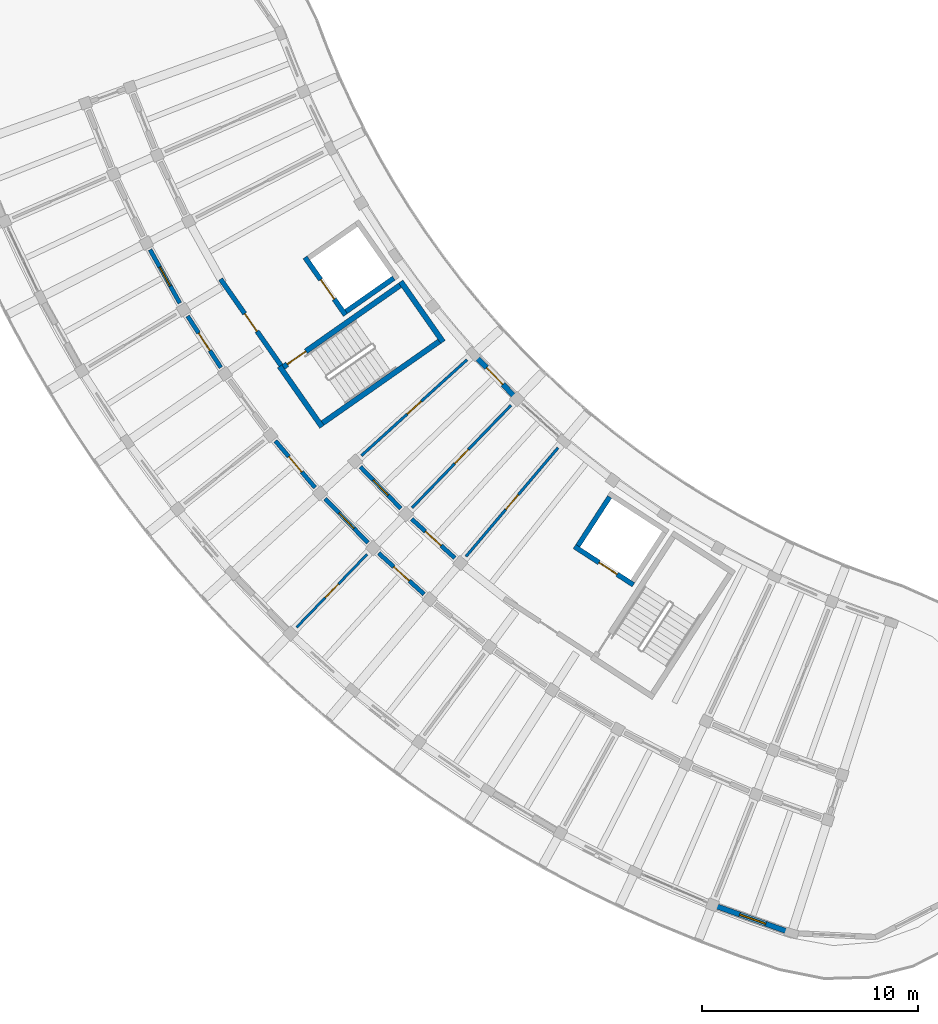
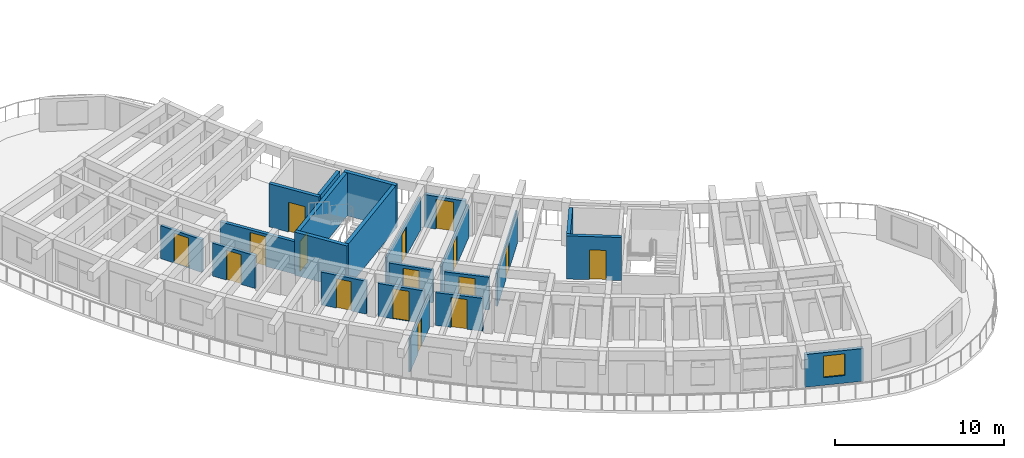
# One storey, part 42 of 83: 22 walls, 16 doors, 1 window, 17 openings.
"""IFC4 building model written with IfcOpenShell, lengths in metres."""

from ifc_helpers import new_model, si_unit, direction, frame, frame_2d, origin, place, context, subcontext, project, spatial, rectangle, extrude, material, layer, layer_set, type_object, element, fill, save


model = new_model("IFC4")

# Units and contexts
model_context = context("Model", 3, precision=1e-05, world=origin(), true_north=direction((0.0, 1.0)))
body_context = subcontext(model_context, "Body", "Model", "MODEL_VIEW")
ifc_project = project(units=[si_unit("LENGTHUNIT", "METRE"), si_unit("AREAUNIT", "SQUARE_METRE"), si_unit("VOLUMEUNIT", "CUBIC_METRE"), si_unit("PLANEANGLEUNIT", "RADIAN"), si_unit("MASSUNIT", "GRAM", prefix="KILO")], contexts=[model_context])

# Site, building, storey
site_placement = place(None, origin())
site = spatial("IfcSite", under=ifc_project, at=site_placement, CompositionType="ELEMENT")
building_placement = place(site_placement, origin())
building = spatial("IfcBuilding", under=site, at=building_placement, Name="Tanwirah Colonnade Gardens", CompositionType="ELEMENT")
storey_placement = place(building_placement, frame((0.0, 0.0, 25.639892578125)))
storey = spatial("IfcBuildingStorey", under=building, at=storey_placement, Name="L07", CompositionType="ELEMENT", Elevation=25.639892578125)

# Wall, opening, door
ifc_material_1 = material(Name="Limestone architectural precast concrete C40/50", Category="masonry")
ifc_layer_1 = layer(ifc_material_1, 0.2451171875)
ifc_layer_set_1 = layer_set([ifc_layer_1], Name="Limestone architectural precast concrete C40/50")
wall_type_1 = type_object("IfcWallType", Name="EW-PC245", PredefinedType="SOLIDWALL", material=ifc_layer_set_1)
wall_1_placement = place(storey_placement, frame((32.208740234375, 34.49853515625, 0.0), z_axis=(0.0, 0.0, 1.0), x_axis=(0.696189646315, -0.717857908199, 0.0)))
wall_1 = element("IfcWall", 1, at=wall_1_placement, inside=storey, type_object=wall_type_1, Name="Block C L07 IN Precast Facade Wall 7", PredefinedType="SOLIDWALL", context=body_context, shape_type="SweptSolid", body=[
    extrude(rectangle(XDim=2.52392578125, YDim=0.2451171875, at=frame_2d((1.261962890625, 0.0))), origin(), (0.0, 0.0, 1.0), 2.355224609375),
])
opening_1_placement = place(wall_1_placement, frame((0.721923828125, 0.0, 0.0)))
opening_1 = element("IfcOpeningElement", 2, at=opening_1_placement, cuts=wall_1, Name="Opening L07-ED161", PredefinedType="OPENING", context=body_context, shape_type="SweptSolid", body=[
    extrude(rectangle(XDim=1.080078125, YDim=2.14990234375, at=frame_2d((0.5400390625, 1.074951171875))), frame((0.0, 0.132568359375, 0.0), z_axis=(0.0, -1.0, 0.0), x_axis=(1.0, 0.0, 0.0)), (0.0, 0.0, 1.0), 0.26513671875),
])
ifc_material_2 = material(Name="Bronze aluminium glazed balcony door", Category="aluminium")
door_type_1 = type_object("IfcDoorType", Name="ED-BAL108", OperationType="NOTDEFINED", PredefinedType="DOOR", material=ifc_material_2)
door_1_placement = place(opening_1_placement, origin())
door_1 = element("IfcDoor", 3, at=door_1_placement, inside=storey, type_object=door_type_1, Name="Balcony glazed door L07-ED161", OperationType="SINGLE_SWING_LEFT", OverallHeight=2.14990234375, OverallWidth=1.080078125, PredefinedType="DOOR", context=body_context, shape_type="SweptSolid", body=[
    extrude(rectangle(XDim=1.080078125, YDim=2.14990234375, at=frame_2d((0.5400390625, 1.074951171875))), frame((0.0, 0.02490234375, 0.0), z_axis=(0.0, -1.0, 0.0), x_axis=(1.0, 0.0, 0.0)), (0.0, 0.0, 1.0), 0.050048828125),
])
fill(opening_1, door_1)

# Wall, opening, window
wall_2_placement = place(storey_placement, frame((43.38671875, 9.01806640625, 0.0), z_axis=(0.0, 0.0, 1.0), x_axis=(0.941916369274, -0.335847514943, 0.0)))
wall_2 = element("IfcWall", 4, at=wall_2_placement, inside=storey, type_object=wall_type_1, Name="Block C L07 OUT Precast Facade Wall 14", PredefinedType="SOLIDWALL", context=body_context, shape_type="SweptSolid", body=[
    extrude(rectangle(XDim=3.511962890625, YDim=0.2451171875, at=frame_2d((1.755859375, 0.0))), origin(), (0.0, 0.0, 1.0), 2.355224609375),
])
opening_2_placement = place(wall_2_placement, frame((1.115966796875, 0.0, 0.550048828125)))
opening_2 = element("IfcOpeningElement", 5, at=opening_2_placement, cuts=wall_2, Name="Opening WIN-U04", PredefinedType="OPENING", context=body_context, shape_type="SweptSolid", body=[
    extrude(rectangle(XDim=1.280029296875, YDim=1.56005859375, at=frame_2d((0.64013671875, 0.780029296875))), frame((0.0, 0.132568359375, 0.0), z_axis=(0.0, -1.0, 0.0), x_axis=(1.0, 0.0, 0.0)), (0.0, 0.0, 1.0), 0.26513671875),
])
ifc_material_3 = material(Name="Thermally broken bronze aluminium and solar low-E double glazing", Category="aluminium")
window_type = type_object("IfcWindowType", Name="WIN-U04", PartitioningType="DOUBLE_PANEL_VERTICAL", PredefinedType="WINDOW", material=ifc_material_3)
window_placement = place(opening_2_placement, origin())
window = element("IfcWindow", 6, at=window_placement, inside=storey, type_object=window_type, Name="Facade window C-L07-OUT-14", OverallHeight=1.56005859375, OverallWidth=1.280029296875, PartitioningType="SINGLE_PANEL", PredefinedType="WINDOW", context=body_context, shape_type="SweptSolid", body=[
    extrude(rectangle(XDim=1.280029296875, YDim=1.56005859375, at=frame_2d((0.64013671875, 0.780029296875))), frame((0.0, 0.030029296875, 0.0), z_axis=(0.0, -1.0, 0.0), x_axis=(1.0, 0.0, 0.0)), (0.0, 0.0, 1.0), 0.06005859375),
])
fill(opening_2, window)

# Wall, opening, door
ifc_material_4 = material(Name="Precast concrete C40/50", Category="concrete")
ifc_layer_2 = layer(ifc_material_4, 0.195068359375)
ifc_layer_set_2 = layer_set([ifc_layer_2], Name="Precast concrete C40/50")
wall_type_2 = type_object("IfcWallType", Name="IW-CORR195", PredefinedType="PARTITIONING", material=ifc_layer_set_2)
wall_3_placement = place(storey_placement, frame((17.118896484375, 39.4462890625, 0.0), z_axis=(0.0, 0.0, 1.0), x_axis=(0.48673124079, -0.8735517725, 0.0)))
wall_3 = element("IfcWall", 7, at=wall_3_placement, inside=storey, type_object=wall_type_2, Name="Block C L07 OUT Corridor Wall 3", PredefinedType="PARTITIONING", context=body_context, shape_type="SweptSolid", body=[
    extrude(rectangle(XDim=2.8369140625, YDim=0.195068359375, at=frame_2d((1.41845703125, 0.0))), origin(), (0.0, 0.0, 1.0), 2.3701171875),
])
opening_3_placement = place(wall_3_placement, frame((0.923583984375, 0.0, 0.0)))
opening_3 = element("IfcOpeningElement", 8, at=opening_3_placement, cuts=wall_3, Name="Opening L07-AD1546", PredefinedType="OPENING", context=body_context, shape_type="SweptSolid", body=[
    extrude(rectangle(XDim=0.989990234375, YDim=2.159912109375, at=frame_2d((0.4951171875, 1.080078125))), frame((0.0, 0.107421875, 0.0), z_axis=(0.0, -1.0, 0.0), x_axis=(1.0, 0.0, 0.0)), (0.0, 0.0, 1.0), 0.215087890625),
])
ifc_material_5 = material(Name="Solid oak fire-resisting apartment entrance door")
door_type_2 = type_object("IfcDoorType", Name="ID-FLT099", OperationType="NOTDEFINED", PredefinedType="DOOR", material=ifc_material_5)
door_2_placement = place(opening_3_placement, origin())
door_2 = element("IfcDoor", 9, at=door_2_placement, inside=storey, type_object=door_type_2, Name="Apartment corridor door L07-AD1546", OperationType="SINGLE_SWING_LEFT", OverallHeight=2.159912109375, OverallWidth=0.989990234375, PredefinedType="DOOR", context=body_context, shape_type="SweptSolid", body=[
    extrude(rectangle(XDim=0.989990234375, YDim=2.159912109375, at=frame_2d((0.4951171875, 1.080078125))), frame((0.0, 0.02490234375, 0.0), z_axis=(0.0, -1.0, 0.0), x_axis=(1.0, 0.0, 0.0)), (0.0, 0.0, 1.0), 0.050048828125),
])
fill(opening_3, door_2)

wall_4_placement = place(storey_placement, frame((18.860107421875, 36.3681640625, 0.0), z_axis=(0.0, 0.0, 1.0), x_axis=(0.542787304957, -0.83987019329, 0.0)))
wall_4 = element("IfcWall", 10, at=wall_4_placement, inside=storey, type_object=wall_type_2, Name="Block C L07 OUT Corridor Wall 4", PredefinedType="PARTITIONING", context=body_context, shape_type="SweptSolid", body=[
    extrude(rectangle(XDim=2.8369140625, YDim=0.195068359375, at=frame_2d((1.41845703125, 0.0))), origin(), (0.0, 0.0, 1.0), 2.3701171875),
])
opening_4_placement = place(wall_4_placement, frame((0.93359375, 0.0, 0.0)))
opening_4 = element("IfcOpeningElement", 11, at=opening_4_placement, cuts=wall_4, Name="Opening L07-AD1548", PredefinedType="OPENING", context=body_context, shape_type="SweptSolid", body=[
    extrude(rectangle(XDim=0.969970703125, YDim=2.14990234375, at=frame_2d((0.48486328125, 1.074951171875))), frame((0.0, 0.107421875, 0.0), z_axis=(0.0, -1.0, 0.0), x_axis=(1.0, 0.0, 0.0)), (0.0, 0.0, 1.0), 0.215087890625),
])
door_type_3 = type_object("IfcDoorType", Name="ID-FLT097", OperationType="NOTDEFINED", PredefinedType="DOOR", material=ifc_material_5)
door_3_placement = place(opening_4_placement, origin())
door_3 = element("IfcDoor", 12, at=door_3_placement, inside=storey, type_object=door_type_3, Name="Apartment corridor door L07-AD1548", OperationType="SINGLE_SWING_RIGHT", OverallHeight=2.14990234375, OverallWidth=0.969970703125, PredefinedType="DOOR", context=body_context, shape_type="SweptSolid", body=[
    extrude(rectangle(XDim=0.969970703125, YDim=2.14990234375, at=frame_2d((0.48486328125, 1.074951171875))), frame((0.0, 0.02490234375, 0.0), z_axis=(0.0, -1.0, 0.0), x_axis=(1.0, 0.0, 0.0)), (0.0, 0.0, 1.0), 0.050048828125),
])
fill(opening_4, door_3)

wall_5_placement = place(storey_placement, frame((22.9267578125, 30.58642578125, 0.0), z_axis=(0.0, 0.0, 1.0), x_axis=(0.64778830669, -0.761820392032, 0.0)))
wall_5 = element("IfcWall", 13, at=wall_5_placement, inside=storey, type_object=wall_type_2, Name="Block C L07 OUT Corridor Wall 6", PredefinedType="PARTITIONING", context=body_context, shape_type="SweptSolid", body=[
    extrude(rectangle(XDim=2.8369140625, YDim=0.195068359375, at=frame_2d((1.41845703125, 0.0))), origin(), (0.0, 0.0, 1.0), 2.3701171875),
])
opening_5_placement = place(wall_5_placement, frame((0.95361328125, 0.0, 0.0)))
opening_5 = element("IfcOpeningElement", 14, at=opening_5_placement, cuts=wall_5, Name="Opening L07-AD1551", PredefinedType="OPENING", context=body_context, shape_type="SweptSolid", body=[
    extrude(rectangle(XDim=0.929931640625, YDim=2.1201171875, at=frame_2d((0.46484375, 1.06005859375))), frame((0.0, 0.107421875, 0.0), z_axis=(0.0, -1.0, 0.0), x_axis=(1.0, 0.0, 0.0)), (0.0, 0.0, 1.0), 0.215087890625),
])
door_type_4 = type_object("IfcDoorType", Name="ID-FLT093", OperationType="NOTDEFINED", PredefinedType="DOOR", material=ifc_material_5)
door_4_placement = place(opening_5_placement, origin())
door_4 = element("IfcDoor", 15, at=door_4_placement, inside=storey, type_object=door_type_4, Name="Apartment corridor door L07-AD1551", OperationType="SINGLE_SWING_RIGHT", OverallHeight=2.1201171875, OverallWidth=0.929931640625, PredefinedType="DOOR", context=body_context, shape_type="SweptSolid", body=[
    extrude(rectangle(XDim=0.929931640625, YDim=2.1201171875, at=frame_2d((0.46484375, 1.06005859375))), frame((0.0, 0.02490234375, 0.0), z_axis=(0.0, -1.0, 0.0), x_axis=(1.0, 0.0, 0.0)), (0.0, 0.0, 1.0), 0.050048828125),
])
fill(opening_5, door_4)

wall_6_placement = place(storey_placement, frame((25.23486328125, 27.9072265625, 0.0), z_axis=(0.0, 0.0, 1.0), x_axis=(0.696223786753, -0.717824796701, 0.0)))
wall_6 = element("IfcWall", 16, at=wall_6_placement, inside=storey, type_object=wall_type_2, Name="Block C L07 OUT Corridor Wall 7", PredefinedType="PARTITIONING", context=body_context, shape_type="SweptSolid", body=[
    extrude(rectangle(XDim=2.8369140625, YDim=0.195068359375, at=frame_2d((1.41845703125, 0.0))), origin(), (0.0, 0.0, 1.0), 2.3701171875),
])
opening_6_placement = place(wall_6_placement, frame((0.923583984375, 0.0, 0.0)))
opening_6 = element("IfcOpeningElement", 17, at=opening_6_placement, cuts=wall_6, Name="Opening L07-AD1553", PredefinedType="OPENING", context=body_context, shape_type="SweptSolid", body=[
    extrude(rectangle(XDim=0.989990234375, YDim=2.159912109375, at=frame_2d((0.4951171875, 1.080078125))), frame((0.0, 0.107421875, 0.0), z_axis=(0.0, -1.0, 0.0), x_axis=(1.0, 0.0, 0.0)), (0.0, 0.0, 1.0), 0.215087890625),
])
door_5_placement = place(opening_6_placement, origin())
door_5 = element("IfcDoor", 18, at=door_5_placement, inside=storey, type_object=door_type_2, Name="Apartment corridor door L07-AD1553", OperationType="SINGLE_SWING_LEFT", OverallHeight=2.159912109375, OverallWidth=0.989990234375, PredefinedType="DOOR", context=body_context, shape_type="SweptSolid", body=[
    extrude(rectangle(XDim=0.989990234375, YDim=2.159912109375, at=frame_2d((0.4951171875, 1.080078125))), frame((0.0, 0.02490234375, 0.0), z_axis=(0.0, -1.0, 0.0), x_axis=(1.0, 0.0, 0.0)), (0.0, 0.0, 1.0), 0.050048828125),
])
fill(opening_6, door_5)

wall_7_placement = place(storey_placement, frame((26.86328125, 29.386474609375, 0.0), z_axis=(0.0, 0.0, 1.0), x_axis=(0.696236443412, -0.717812520694, 0.0)))
wall_7 = element("IfcWall", 19, at=wall_7_placement, inside=storey, type_object=wall_type_2, Name="Block C L07 IN Corridor Wall 7", PredefinedType="PARTITIONING", context=body_context, shape_type="SweptSolid", body=[
    extrude(rectangle(XDim=2.693115234375, YDim=0.195068359375, at=frame_2d((1.3466796875, 0.0))), origin(), (0.0, 0.0, 1.0), 2.3701171875),
])
opening_7_placement = place(wall_7_placement, frame((0.8515625, 0.0, 0.0)))
opening_7 = element("IfcOpeningElement", 20, at=opening_7_placement, cuts=wall_7, Name="Opening L07-AD1554", PredefinedType="OPENING", context=body_context, shape_type="SweptSolid", body=[
    extrude(rectangle(XDim=0.989990234375, YDim=2.159912109375, at=frame_2d((0.4951171875, 1.080078125))), frame((0.0, 0.107421875, 0.0), z_axis=(0.0, -1.0, 0.0), x_axis=(1.0, 0.0, 0.0)), (0.0, 0.0, 1.0), 0.215087890625),
])
door_6_placement = place(opening_7_placement, origin())
door_6 = element("IfcDoor", 21, at=door_6_placement, inside=storey, type_object=door_type_2, Name="Apartment corridor door L07-AD1554", OperationType="SINGLE_SWING_RIGHT", OverallHeight=2.159912109375, OverallWidth=0.989990234375, PredefinedType="DOOR", context=body_context, shape_type="SweptSolid", body=[
    extrude(rectangle(XDim=0.989990234375, YDim=2.159912109375, at=frame_2d((0.4951171875, 1.080078125))), frame((0.0, 0.02490234375, 0.0), z_axis=(0.0, -1.0, 0.0), x_axis=(1.0, 0.0, 0.0)), (0.0, 0.0, 1.0), 0.050048828125),
])
fill(opening_7, door_6)

wall_8_placement = place(storey_placement, frame((27.71337890625, 25.385009765625, 0.0), z_axis=(0.0, 0.0, 1.0), x_axis=(0.741631592147, -0.670807410163, 0.0)))
wall_8 = element("IfcWall", 22, at=wall_8_placement, inside=storey, type_object=wall_type_2, Name="Block C L07 OUT Corridor Wall 8", PredefinedType="PARTITIONING", context=body_context, shape_type="SweptSolid", body=[
    extrude(rectangle(XDim=2.8369140625, YDim=0.195068359375, at=frame_2d((1.41845703125, 0.0))), origin(), (0.0, 0.0, 1.0), 2.3701171875),
])
opening_8_placement = place(wall_8_placement, frame((0.93359375, 0.0, 0.0)))
opening_8 = element("IfcOpeningElement", 23, at=opening_8_placement, cuts=wall_8, Name="Opening L07-AD1557", PredefinedType="OPENING", context=body_context, shape_type="SweptSolid", body=[
    extrude(rectangle(XDim=0.969970703125, YDim=2.14990234375, at=frame_2d((0.48486328125, 1.074951171875))), frame((0.0, 0.107421875, 0.0), z_axis=(0.0, -1.0, 0.0), x_axis=(1.0, 0.0, 0.0)), (0.0, 0.0, 1.0), 0.215087890625),
])
door_7_placement = place(opening_8_placement, origin())
door_7 = element("IfcDoor", 24, at=door_7_placement, inside=storey, type_object=door_type_3, Name="Apartment corridor door L07-AD1557", OperationType="SINGLE_SWING_RIGHT", OverallHeight=2.14990234375, OverallWidth=0.969970703125, PredefinedType="DOOR", context=body_context, shape_type="SweptSolid", body=[
    extrude(rectangle(XDim=0.969970703125, YDim=2.14990234375, at=frame_2d((0.48486328125, 1.074951171875))), frame((0.0, 0.02490234375, 0.0), z_axis=(0.0, -1.0, 0.0), x_axis=(1.0, 0.0, 0.0)), (0.0, 0.0, 1.0), 0.050048828125),
])
fill(opening_8, door_7)

wall_9_placement = place(storey_placement, frame((29.241455078125, 26.967529296875, 0.0), z_axis=(0.0, 0.0, 1.0), x_axis=(0.74166462946, -0.670770882945, 0.0)))
wall_9 = element("IfcWall", 25, at=wall_9_placement, inside=storey, type_object=wall_type_2, Name="Block C L07 IN Corridor Wall 8", PredefinedType="PARTITIONING", context=body_context, shape_type="SweptSolid", body=[
    extrude(rectangle(XDim=2.693115234375, YDim=0.195068359375, at=frame_2d((1.3466796875, 0.0))), origin(), (0.0, 0.0, 1.0), 2.3701171875),
])
opening_9_placement = place(wall_9_placement, frame((0.861572265625, 0.0, 0.0)))
opening_9 = element("IfcOpeningElement", 26, at=opening_9_placement, cuts=wall_9, Name="Opening L07-AD1558", PredefinedType="OPENING", context=body_context, shape_type="SweptSolid", body=[
    extrude(rectangle(XDim=0.969970703125, YDim=2.14990234375, at=frame_2d((0.48486328125, 1.074951171875))), frame((0.0, 0.107421875, 0.0), z_axis=(0.0, -1.0, 0.0), x_axis=(1.0, 0.0, 0.0)), (0.0, 0.0, 1.0), 0.215087890625),
])
door_8_placement = place(opening_9_placement, origin())
door_8 = element("IfcDoor", 27, at=door_8_placement, inside=storey, type_object=door_type_3, Name="Apartment corridor door L07-AD1558", OperationType="SINGLE_SWING_LEFT", OverallHeight=2.14990234375, OverallWidth=0.969970703125, PredefinedType="DOOR", context=body_context, shape_type="SweptSolid", body=[
    extrude(rectangle(XDim=0.969970703125, YDim=2.14990234375, at=frame_2d((0.48486328125, 1.074951171875))), frame((0.0, 0.02490234375, 0.0), z_axis=(0.0, -1.0, 0.0), x_axis=(1.0, 0.0, 0.0)), (0.0, 0.0, 1.0), 0.050048828125),
])
fill(opening_9, door_8)

ifc_material_6 = material(Name="Autoclaved aerated masonry blockwork", Category="masonry")
ifc_layer_3 = layer(ifc_material_6, 0.219970703125)
ifc_layer_set_3 = layer_set([ifc_layer_3], Name="Autoclaved aerated masonry blockwork")
wall_type_3 = type_object("IfcWallType", Name="IW-FFL220", PredefinedType="PARTITIONING", material=ifc_layer_set_3)
wall_10_placement = place(storey_placement, frame((23.19482421875, 34.06787109375, 0.0), z_axis=(0.0, 0.0, 1.0), x_axis=(-0.573572687386, 0.819154669329, 0.0)))
wall_10 = element("IfcWall", 28, at=wall_10_placement, inside=storey, type_object=wall_type_3, Name="CORE-C1 L07 Enclosed Lobby Fire Wall", PredefinedType="PARTITIONING", context=body_context, shape_type="SweptSolid", body=[
    extrude(rectangle(XDim=4.900146484375, YDim=0.219970703125, at=frame_2d((2.4501953125, 0.0))), origin(), (0.0, 0.0, 1.0), 2.340087890625),
])
opening_10_placement = place(wall_10_placement, frame((1.949951171875, 0.0, 0.0)))
opening_10 = element("IfcOpeningElement", 29, at=opening_10_placement, cuts=wall_10, Name="Opening L07-LD141", PredefinedType="OPENING", context=body_context, shape_type="SweptSolid", body=[
    extrude(rectangle(XDim=1.0, YDim=2.14990234375, at=frame_2d((0.5, 1.074951171875))), frame((0.0, 0.119873046875, 0.0), z_axis=(0.0, -1.0, 0.0), x_axis=(1.0, 0.0, 0.0)), (0.0, 0.0, 1.0), 0.239990234375),
])
ifc_material_7 = material(Name="Acoustic fire-resisting lobby door")
door_type_5 = type_object("IfcDoorType", Name="ID-FFL100", OperationType="NOTDEFINED", PredefinedType="DOOR", material=ifc_material_7)
door_9_placement = place(opening_10_placement, origin())
door_9 = element("IfcDoor", 30, at=door_9_placement, inside=storey, type_object=door_type_5, Name="CORE-C1 L07 Lobby Fire Door L07-LD141", OperationType="SINGLE_SWING_RIGHT", OverallHeight=2.14990234375, OverallWidth=1.0, PredefinedType="DOOR", context=body_context, shape_type="SweptSolid", body=[
    extrude(rectangle(XDim=1.0, YDim=2.14990234375, at=frame_2d((0.5, 1.074951171875))), frame((0.0, 0.02490234375, 0.0), z_axis=(0.0, -1.0, 0.0), x_axis=(1.0, 0.0, 0.0)), (0.0, 0.0, 1.0), 0.050048828125),
])
fill(opening_10, door_9)

ifc_material_8 = material(Name="Acoustic gypsum stud partition")
ifc_layer_4 = layer(ifc_material_8, 0.114990234375)
ifc_layer_set_4 = layer_set([ifc_layer_4], Name="Acoustic gypsum stud partition")
wall_type_4 = type_object("IfcWallType", Name="IW-INT115", PredefinedType="PARTITIONING", material=ifc_layer_set_4)
wall_11_placement = place(storey_placement, frame((27.17578125, 25.33203125, 0.0), z_axis=(0.0, 0.0, 1.0), x_axis=(-0.69466218314, -0.719336118456, 0.0)))
wall_11 = element("IfcWall", 31, at=wall_11_placement, inside=storey, type_object=wall_type_4, Name="Block C L07 Radial Partition 7", PredefinedType="PARTITIONING", context=body_context, shape_type="SweptSolid", body=[
    extrude(rectangle(XDim=4.699951171875, YDim=0.114990234375, at=frame_2d((2.35009765625, 0.0))), origin(), (0.0, 0.0, 1.0), 2.3701171875),
])
opening_11_placement = place(wall_11_placement, frame((1.9150390625, 0.0, 0.0)))
opening_11 = element("IfcOpeningElement", 32, at=opening_11_placement, cuts=wall_11, Name="Opening L07-RD1555", PredefinedType="OPENING", context=body_context, shape_type="SweptSolid", body=[
    extrude(rectangle(XDim=0.8701171875, YDim=2.080078125, at=frame_2d((0.43505859375, 1.0400390625))), frame((0.0, 0.0673828125, 0.0), z_axis=(0.0, -1.0, 0.0), x_axis=(1.0, 0.0, 0.0)), (0.0, 0.0, 1.0), 0.135009765625),
])
ifc_material_9 = material(Name="Painted hardwood study door", Category="wood")
door_type_6 = type_object("IfcDoorType", Name="ID-RM087", OperationType="NOTDEFINED", PredefinedType="DOOR", material=ifc_material_9)
door_10_placement = place(opening_11_placement, origin())
door_10 = element("IfcDoor", 33, at=door_10_placement, inside=storey, type_object=door_type_6, Name="Internal apartment door L07-RD1555", OperationType="SINGLE_SWING_LEFT", OverallHeight=2.080078125, OverallWidth=0.8701171875, PredefinedType="DOOR", context=body_context, shape_type="SweptSolid", body=[
    extrude(rectangle(XDim=0.8701171875, YDim=2.080078125, at=frame_2d((0.43505859375, 1.0400390625))), frame((0.0, 0.02490234375, 0.0), z_axis=(0.0, -1.0, 0.0), x_axis=(1.0, 0.0, 0.0)), (0.0, 0.0, 1.0), 0.050048828125),
])
fill(opening_11, door_10)

ifc_material_10 = material(Name="Moisture-resistant gypsum stud partition")
ifc_layer_5 = layer(ifc_material_10, 0.125)
ifc_layer_set_5 = layer_set([ifc_layer_5], Name="Moisture-resistant gypsum stud partition")
wall_type_5 = type_object("IfcWallType", Name="IW-INT125", PredefinedType="PARTITIONING", material=ifc_layer_set_5)
wall_12_placement = place(storey_placement, frame((31.80126953125, 34.34423828125, 0.0), z_axis=(0.0, 0.0, 1.0), x_axis=(-0.74023124711, -0.672352363573, 0.0)))
wall_12 = element("IfcWall", 34, at=wall_12_placement, inside=storey, type_object=wall_type_5, Name="Block C L07 Inner Radial Partition 6", PredefinedType="PARTITIONING", context=body_context, shape_type="SweptSolid", body=[
    extrude(rectangle(XDim=6.599853515625, YDim=0.125, at=frame_2d((3.2998046875, 0.0))), origin(), (0.0, 0.0, 1.0), 2.3701171875),
])
opening_12_placement = place(wall_12_placement, frame((2.864990234375, 0.0, 0.0)))
opening_12 = element("IfcOpeningElement", 35, at=opening_12_placement, cuts=wall_12, Name="Opening L07-RD1552", PredefinedType="OPENING", context=body_context, shape_type="SweptSolid", body=[
    extrude(rectangle(XDim=0.8701171875, YDim=2.080078125, at=frame_2d((0.43505859375, 1.0400390625))), frame((0.0, 0.072509765625, 0.0), z_axis=(0.0, -1.0, 0.0), x_axis=(1.0, 0.0, 0.0)), (0.0, 0.0, 1.0), 0.14501953125),
])
door_11_placement = place(opening_12_placement, origin())
door_11 = element("IfcDoor", 36, at=door_11_placement, inside=storey, type_object=door_type_6, Name="Internal apartment door L07-RD1552", OperationType="SINGLE_SWING_LEFT", OverallHeight=2.080078125, OverallWidth=0.8701171875, PredefinedType="DOOR", context=body_context, shape_type="SweptSolid", body=[
    extrude(rectangle(XDim=0.8701171875, YDim=2.080078125, at=frame_2d((0.43505859375, 1.0400390625))), frame((0.0, 0.02490234375, 0.0), z_axis=(0.0, -1.0, 0.0), x_axis=(1.0, 0.0, 0.0)), (0.0, 0.0, 1.0), 0.050048828125),
])
fill(opening_12, door_11)

wall_13_placement = place(storey_placement, frame((33.844482421875, 32.237548828125, 0.0), z_axis=(0.0, 0.0, 1.0), x_axis=(-0.69466250658, -0.71933580611, 0.0)))
wall_13 = element("IfcWall", 37, at=wall_13_placement, inside=storey, type_object=wall_type_5, Name="Block C L07 Inner Radial Partition 7", PredefinedType="PARTITIONING", context=body_context, shape_type="SweptSolid", body=[
    extrude(rectangle(XDim=6.599853515625, YDim=0.125, at=frame_2d((3.2998046875, 0.0))), origin(), (0.0, 0.0, 1.0), 2.3701171875),
])
opening_13_placement = place(wall_13_placement, frame((2.844970703125, 0.0, 0.0)))
opening_13 = element("IfcOpeningElement", 38, at=opening_13_placement, cuts=wall_13, Name="Opening L07-RD1556", PredefinedType="OPENING", context=body_context, shape_type="SweptSolid", body=[
    extrude(rectangle(XDim=0.909912109375, YDim=2.10009765625, at=frame_2d((0.455078125, 1.050048828125))), frame((0.0, 0.072509765625, 0.0), z_axis=(0.0, -1.0, 0.0), x_axis=(1.0, 0.0, 0.0)), (0.0, 0.0, 1.0), 0.14501953125),
])
ifc_material_11 = material(Name="Painted hardwood internal room door", Category="wood")
door_type_7 = type_object("IfcDoorType", Name="ID-RM091", OperationType="NOTDEFINED", PredefinedType="DOOR", material=ifc_material_11)
door_12_placement = place(opening_13_placement, origin())
door_12 = element("IfcDoor", 39, at=door_12_placement, inside=storey, type_object=door_type_7, Name="Internal apartment door L07-RD1556", OperationType="SINGLE_SWING_RIGHT", OverallHeight=2.10009765625, OverallWidth=0.909912109375, PredefinedType="DOOR", context=body_context, shape_type="SweptSolid", body=[
    extrude(rectangle(XDim=0.909912109375, YDim=2.10009765625, at=frame_2d((0.455078125, 1.050048828125))), frame((0.0, 0.02490234375, 0.0), z_axis=(0.0, -1.0, 0.0), x_axis=(1.0, 0.0, 0.0)), (0.0, 0.0, 1.0), 0.050048828125),
])
fill(opening_13, door_12)

wall_14_placement = place(storey_placement, frame((36.021240234375, 30.26904296875, 0.0), z_axis=(0.0, 0.0, 1.0), x_axis=(-0.646121311019, -0.763234728932, 0.0)))
wall_14 = element("IfcWall", 40, at=wall_14_placement, inside=storey, type_object=wall_type_5, Name="Block C L07 Inner Radial Partition 8", PredefinedType="PARTITIONING", context=body_context, shape_type="SweptSolid", body=[
    extrude(rectangle(XDim=6.60009765625, YDim=0.125, at=frame_2d((3.300048828125, 0.0))), origin(), (0.0, 0.0, 1.0), 2.3701171875),
])
opening_14_placement = place(wall_14_placement, frame((2.85498046875, 0.0, 0.0)))
opening_14 = element("IfcOpeningElement", 41, at=opening_14_placement, cuts=wall_14, Name="Opening L07-RD1559", PredefinedType="OPENING", context=body_context, shape_type="SweptSolid", body=[
    extrude(rectangle(XDim=0.889892578125, YDim=2.10009765625, at=frame_2d((0.44482421875, 1.050048828125))), frame((0.0, 0.072509765625, 0.0), z_axis=(0.0, -1.0, 0.0), x_axis=(1.0, 0.0, 0.0)), (0.0, 0.0, 1.0), 0.14501953125),
])
ifc_material_12 = material(Name="Painted hardwood bedroom door", Category="wood")
door_type_8 = type_object("IfcDoorType", Name="ID-RM089", OperationType="NOTDEFINED", PredefinedType="DOOR", material=ifc_material_12)
door_13_placement = place(opening_14_placement, origin())
door_13 = element("IfcDoor", 42, at=door_13_placement, inside=storey, type_object=door_type_8, Name="Internal apartment door L07-RD1559", OperationType="SINGLE_SWING_LEFT", OverallHeight=2.10009765625, OverallWidth=0.889892578125, PredefinedType="DOOR", context=body_context, shape_type="SweptSolid", body=[
    extrude(rectangle(XDim=0.889892578125, YDim=2.10009765625, at=frame_2d((0.44482421875, 1.050048828125))), frame((0.0, 0.02490234375, 0.0), z_axis=(0.0, -1.0, 0.0), x_axis=(1.0, 0.0, 0.0)), (0.0, 0.0, 1.0), 0.050048828125),
])
fill(opening_14, door_13)

# Walls
ifc_material_13 = material(Name="Concrete C45/55", Category="concrete")
ifc_layer_6 = layer(ifc_material_13, 0.25)
ifc_layer_set_6 = layer_set([ifc_layer_6], Name="Concrete C45/55")
wall_type_6 = type_object("IfcWallType", Name="SW-CORE250", PredefinedType="SHEAR", material=ifc_layer_set_6)
wall_15_placement = place(storey_placement, frame((25.1142578125, 31.413818359375, 0.0), z_axis=(0.0, 0.0, 1.0), x_axis=(0.819141541656, 0.573591435374, 0.0)))
element("IfcWall", 43, at=wall_15_placement, inside=storey, type_object=wall_type_6, Name="CORE-C1 L07 Stair Shaft Shear Wall LEFT", PredefinedType="SHEAR", context=body_context, shape_type="SweptSolid", body=[
    extrude(rectangle(XDim=6.599853515625, YDim=0.25, at=frame_2d((3.2998046875, 0.0))), origin(), (0.0, 0.0, 1.0), 3.110107421875),
])
for number, where, z_axis, x_axis, name in (
    (44, (30.694580078125, 35.168701171875, 0.0), (0.0, 0.0, 1.0), (-0.573582112484, 0.819148069789, 0.0), "CORE-C1 L07 Stair Shaft Shear Wall FAR"),
    (45, (25.08349609375, 31.23974609375, 0.0), (0.0, 0.0, 1.0), (-0.573582112484, 0.819148069789, 0.0), "CORE-C1 L07 Stair Shaft Shear Wall NEAR"),
):
    element("IfcWall", number, at=place(storey_placement, frame(where, z_axis=z_axis, x_axis=x_axis)), inside=storey, type_object=wall_type_6, Name=name, PredefinedType="SHEAR", context=body_context, shape_type="SweptSolid", body=[
        extrude(rectangle(XDim=3.419921875, YDim=0.25, at=frame_2d((1.7099609375, 0.0))), origin(), (0.0, 0.0, 1.0), 3.110107421875),
    ])

# Wall, opening, door
wall_16_placement = place(storey_placement, frame((23.2958984375, 34.010498046875, 0.0), z_axis=(0.0, 0.0, 1.0), x_axis=(0.819153711596, 0.573574055182, 0.0)))
wall_16 = element("IfcWall", 46, at=wall_16_placement, inside=storey, type_object=wall_type_6, Name="CORE-C1 L07 Stair Shaft Shear Wall RIGHT", PredefinedType="SHEAR", context=body_context, shape_type="SweptSolid", body=[
    extrude(rectangle(XDim=6.60009765625, YDim=0.25, at=frame_2d((3.300048828125, 0.0))), origin(), (0.0, 0.0, 1.0), 3.110107421875),
])
opening_15_placement = place(wall_16_placement, frame((0.219970703125, 0.0, 0.0)))
opening_15 = element("IfcOpeningElement", 47, at=opening_15_placement, cuts=wall_16, Name="Opening L07-SD129", PredefinedType="OPENING", context=body_context, shape_type="SweptSolid", body=[
    extrude(rectangle(XDim=1.050048828125, YDim=2.14990234375, at=frame_2d((0.52490234375, 1.074951171875))), frame((0.0, 0.135009765625, 0.0), z_axis=(0.0, -1.0, 0.0), x_axis=(1.0, 0.0, 0.0)), (0.0, 0.0, 1.0), 0.27001953125),
])
ifc_material_14 = material(Name="Steel fire-resisting stair enclosure door", Category="steel")
door_type_9 = type_object("IfcDoorType", Name="ID-ST105", OperationType="NOTDEFINED", PredefinedType="DOOR", material=ifc_material_14)
door_14_placement = place(opening_15_placement, origin())
door_14 = element("IfcDoor", 48, at=door_14_placement, inside=storey, type_object=door_type_9, Name="CORE-C1 L07 Stair Fire Door L07-SD129", OperationType="SINGLE_SWING_RIGHT", OverallHeight=2.14990234375, OverallWidth=1.050048828125, PredefinedType="DOOR", context=body_context, shape_type="SweptSolid", body=[
    extrude(rectangle(XDim=1.050048828125, YDim=2.14990234375, at=frame_2d((0.52490234375, 1.074951171875))), frame((0.0, 0.02490234375, 0.0), z_axis=(0.0, -1.0, 0.0), x_axis=(1.0, 0.0, 0.0)), (0.0, 0.0, 1.0), 0.050048828125),
])
fill(opening_15, door_14)

ifc_layer_7 = layer(ifc_material_13, 0.22998046875)
ifc_layer_set_7 = layer_set([ifc_layer_7], Name="Concrete C45/55")
wall_type_7 = type_object("IfcWallType", Name="SW-LIFT230", PredefinedType="SHEAR", material=ifc_layer_set_7)
wall_17_placement = place(storey_placement, frame((26.1689453125, 36.419189453125, 0.0), z_axis=(0.0, 0.0, 1.0), x_axis=(-0.573582966431, 0.819147471839, 0.0)))
wall_17 = element("IfcWall", 49, at=wall_17_placement, inside=storey, type_object=wall_type_7, Name="CORE-C1 L07 Lift Shaft Wall FRONT", PredefinedType="SHEAR", context=body_context, shape_type="SweptSolid", body=[
    extrude(rectangle(XDim=3.260009765625, YDim=0.22998046875, at=frame_2d((1.6298828125, 0.0))), origin(), (0.0, 0.0, 1.0), 3.110107421875),
])
opening_16_placement = place(wall_17_placement, frame((0.89990234375, 0.0, 0.0)))
opening_16 = element("IfcOpeningElement", 50, at=opening_16_placement, cuts=wall_17, Name="Opening L07-LD-FL-C1", PredefinedType="OPENING", context=body_context, shape_type="SweptSolid", body=[
    extrude(rectangle(XDim=1.10009765625, YDim=2.14990234375, at=frame_2d((0.550048828125, 1.074951171875))), frame((0.0, 0.125, 0.0), z_axis=(0.0, -1.0, 0.0), x_axis=(1.0, 0.0, 0.0)), (0.0, 0.0, 1.0), 0.25),
])
ifc_material_15 = material(Name="Stainless steel sliding fire lift landing door", Category="steel")
door_type_10 = type_object("IfcDoorType", Name="LD-FF11", OperationType="DOUBLE_DOOR_SLIDING", PredefinedType="DOOR", material=ifc_material_15)
door_15_placement = place(opening_16_placement, origin())
door_15 = element("IfcDoor", 51, at=door_15_placement, inside=storey, type_object=door_type_10, Name="Lift FL-C1 L07 Sliding Landing Door", OperationType="DOUBLE_DOOR_SLIDING", OverallHeight=2.14990234375, OverallWidth=1.10009765625, PredefinedType="DOOR", context=body_context, shape_type="SweptSolid", body=[
    extrude(rectangle(XDim=1.10009765625, YDim=2.14990234375, at=frame_2d((0.550048828125, 1.074951171875))), frame((0.0, 0.02490234375, 0.0), z_axis=(0.0, -1.0, 0.0), x_axis=(1.0, 0.0, 0.0)), (0.0, 0.0, 1.0), 0.050048828125),
])
fill(opening_16, door_15)

# Wall
wall_18_placement = place(storey_placement, frame((26.197265625, 36.579345703125, 0.0), z_axis=(0.0, 0.0, 1.0), x_axis=(0.819159695432, 0.573565509231, 0.0)))
element("IfcWall", 52, at=wall_18_placement, inside=storey, type_object=wall_type_7, Name="CORE-C1 L07 Lift Shaft Wall SIDEA", PredefinedType="SHEAR", context=body_context, shape_type="SweptSolid", body=[
    extrude(rectangle(XDim=2.699951171875, YDim=0.22998046875, at=frame_2d((1.35009765625, 0.0))), origin(), (0.0, 0.0, 1.0), 3.110107421875),
])

# Wall, opening, door
wall_19_placement = place(storey_placement, frame((39.515869140625, 23.91748046875, 0.0), z_axis=(0.0, 0.0, 1.0), x_axis=(-0.838660840752, 0.544654013286, 0.0)))
wall_19 = element("IfcWall", 53, at=wall_19_placement, inside=storey, type_object=wall_type_7, Name="CORE-C2 L07 Lift Shaft Wall FRONT", PredefinedType="SHEAR", context=body_context, shape_type="SweptSolid", body=[
    extrude(rectangle(XDim=3.260009765625, YDim=0.22998046875, at=frame_2d((1.6298828125, 0.0))), origin(), (0.0, 0.0, 1.0), 3.110107421875),
])
opening_17_placement = place(wall_19_placement, frame((0.89990234375, 0.0, 0.0)))
opening_17 = element("IfcOpeningElement", 54, at=opening_17_placement, cuts=wall_19, Name="Opening L07-LD-PL-C2", PredefinedType="OPENING", context=body_context, shape_type="SweptSolid", body=[
    extrude(rectangle(XDim=1.0, YDim=2.14990234375, at=frame_2d((0.5, 1.074951171875))), frame((0.0, 0.125, 0.0), z_axis=(0.0, -1.0, 0.0), x_axis=(1.0, 0.0, 0.0)), (0.0, 0.0, 1.0), 0.25),
])
ifc_material_16 = material(Name="Bronze stainless steel sliding lift landing door", Category="steel")
door_type_11 = type_object("IfcDoorType", Name="LD-PS10", OperationType="DOUBLE_DOOR_SLIDING", PredefinedType="DOOR", material=ifc_material_16)
door_16_placement = place(opening_17_placement, origin())
door_16 = element("IfcDoor", 55, at=door_16_placement, inside=storey, type_object=door_type_11, Name="Lift PL-C2 L07 Sliding Landing Door", OperationType="DOUBLE_DOOR_SLIDING", OverallHeight=2.14990234375, OverallWidth=1.0, PredefinedType="DOOR", context=body_context, shape_type="SweptSolid", body=[
    extrude(rectangle(XDim=1.0, YDim=2.14990234375, at=frame_2d((0.5, 1.074951171875))), frame((0.0, 0.02490234375, 0.0), z_axis=(0.0, -1.0, 0.0), x_axis=(1.0, 0.0, 0.0)), (0.0, 0.0, 1.0), 0.050048828125),
])
fill(opening_17, door_16)

# Wall
wall_20_placement = place(storey_placement, frame((36.94091796875, 25.726806640625, 0.0), z_axis=(0.0, 0.0, 1.0), x_axis=(0.544622789439, 0.838681117722, 0.0)))
element("IfcWall", 56, at=wall_20_placement, inside=storey, type_object=wall_type_7, Name="CORE-C2 L07 Lift Shaft Wall SIDEB", PredefinedType="SHEAR", context=body_context, shape_type="SweptSolid", body=[
    extrude(rectangle(XDim=2.699951171875, YDim=0.22998046875, at=frame_2d((1.35009765625, 0.0))), origin(), (0.0, 0.0, 1.0), 3.110107421875),
])

save(model, "model.ifc")
